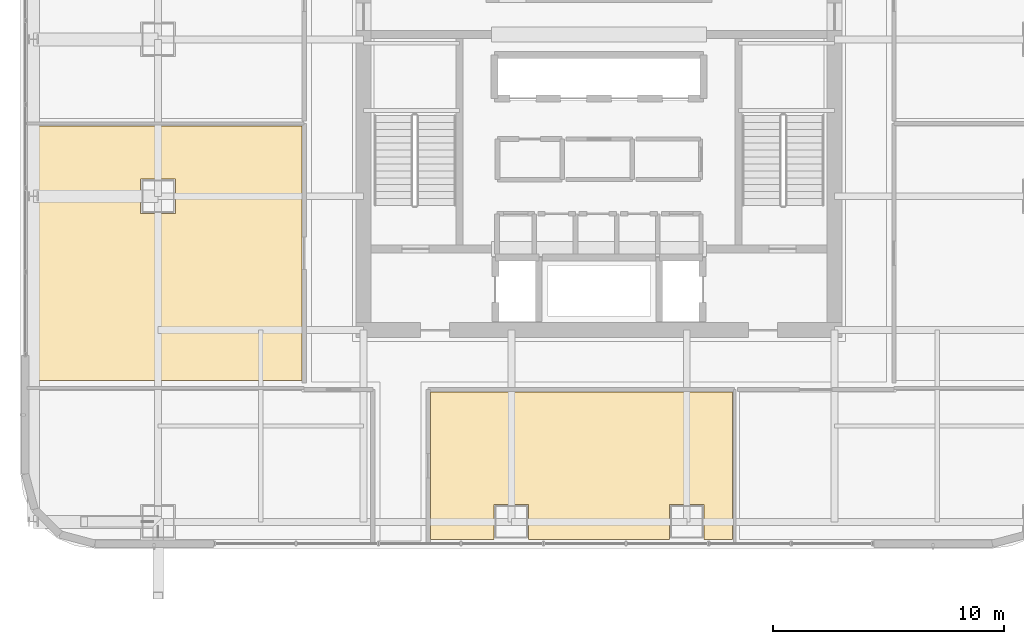
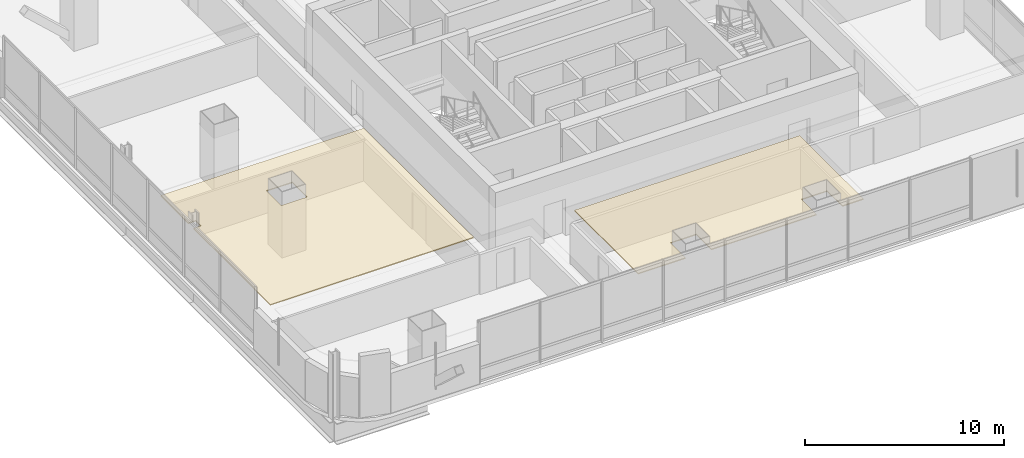
# One storey, part 39 of 47: 2 coverings.
"""IFC4 building model written with IfcOpenShell, lengths in metres."""

from ifc_helpers import new_model, si_unit, direction, frame, origin, place, context, subcontext, project, spatial, polyline, outline, extrude, material, layer, layer_set, type_object, element, save


model = new_model("IFC4")

# Units and contexts
model_context = context("Model", 3, precision=1e-05, world=origin(), true_north=direction((0.0, 1.0)))
body_context = subcontext(model_context, "Body", "Model", "MODEL_VIEW")
ifc_project = project(units=[si_unit("LENGTHUNIT", "METRE"), si_unit("AREAUNIT", "SQUARE_METRE"), si_unit("VOLUMEUNIT", "CUBIC_METRE"), si_unit("PLANEANGLEUNIT", "RADIAN"), si_unit("MASSUNIT", "GRAM", prefix="KILO")], contexts=[model_context])

# Site, building, storey
site_placement = place(None, origin())
site = spatial("IfcSite", under=ifc_project, at=site_placement, CompositionType="ELEMENT")
building_placement = place(site_placement, origin())
building = spatial("IfcBuilding", under=site, at=building_placement, Name="Punatoya Terracotta Tower", CompositionType="ELEMENT")
storey_placement = place(building_placement, frame((0.0, 0.0, 168.14990234375)))
storey = spatial("IfcBuildingStorey", under=building, at=storey_placement, Name="L39", CompositionType="ELEMENT", Elevation=168.14990234375)

# Coverings
ifc_material = material(Name="Acoustic Mineral Fibre Ceiling")
ifc_layer = layer(ifc_material, 0.06005859375)
ifc_layer_set = layer_set([ifc_layer], Name="Acoustic Mineral Fibre Ceiling")
covering_type = type_object("IfcCoveringType", Name="COV-CEIL-60", PredefinedType="CEILING", material=ifc_layer_set)
covering_1_placement = place(storey_placement, frame((0.0, 0.0, 3.22021484375)))
element("IfcCovering", 1, at=covering_1_placement, inside=storey, type_object=covering_type, Name="L39 Open-Plan Staff Wellness Studio Acoustic Ceiling", PredefinedType="CEILING", context=body_context, shape_type="SweptSolid", body=[
    extrude(outline(polyline([(-7.300048828125, -18.27001953125), (-4.550048828125, -18.27001953125), (-4.550048828125, -16.75), (-3.050048828125, -16.75), (-3.050048828125, -18.27001953125), (3.050048828125, -18.27001953125), (3.050048828125, -16.75), (4.550048828125, -16.75), (4.550048828125, -18.27001953125), (5.77392578125, -18.27001953125), (5.77392578125, -11.8701171875), (-7.300048828125, -11.8701171875), (-7.300048828125, -18.27001953125)])), origin(), (0.0, 0.0, 1.0), 0.059814453125),
])
covering_2_placement = place(storey_placement, frame((0.0, 0.0, 3.22021484375)))
element("IfcCovering", 2, at=covering_2_placement, inside=storey, type_object=covering_type, Name="L39 Open-Plan Leadership Training Classroom Acoustic Ceiling", PredefinedType="CEILING", context=body_context, shape_type="SweptSolid", body=[
    extrude(outline(polyline([(-24.669921875, -3.66259765625), (-24.669921875, -11.389892578125), (-12.8701171875, -11.389892578125), (-12.8701171875, -0.35009765625), (-24.669921875, -0.35009765625), (-24.669921875, -3.137451171875), (-24.24560546875, -3.137451171875), (-24.24560546875, -3.66259765625), (-24.669921875, -3.66259765625)]), holes=[polyline([(-18.35009765625, -4.14990234375), (-19.85009765625, -4.14990234375), (-19.85009765625, -2.64990234375), (-18.35009765625, -2.64990234375), (-18.35009765625, -4.14990234375)])]), origin(), (0.0, 0.0, 1.0), 0.059814453125),
])

save(model, "model.ifc")
